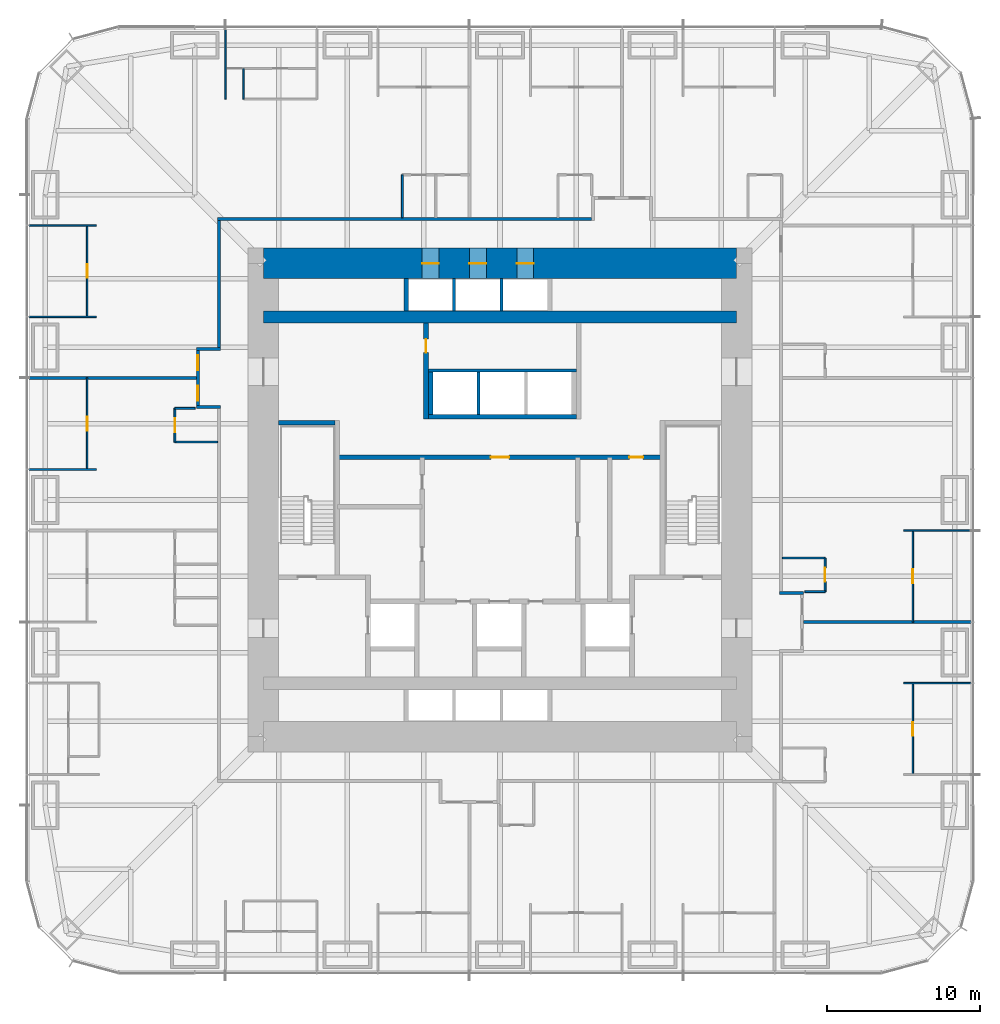
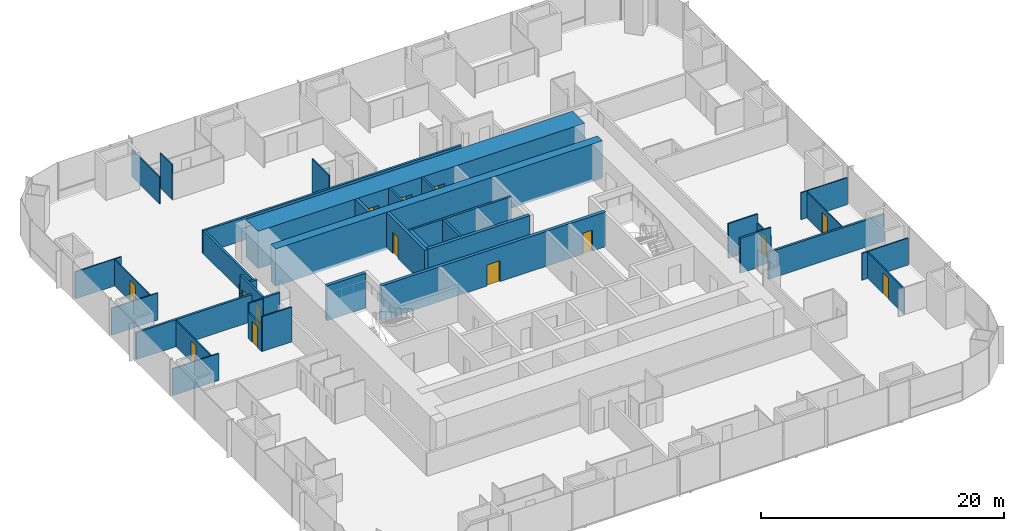
# One storey, part 14 of 17: 38 walls, 14 doors, 14 openings.
"""IFC4 building model written with IfcOpenShell, lengths in metres."""

from ifc_helpers import new_model, si_unit, direction, frame, frame_2d, origin, place, context, subcontext, project, spatial, rectangle, extrude, material, layer, layer_set, type_object, element, fill, save


model = new_model("IFC4")

# Units and contexts
model_context = context("Model", 3, precision=1e-05, world=origin(), true_north=direction((0.0, 1.0)))
body_context = subcontext(model_context, "Body", "Model", "MODEL_VIEW")
ifc_project = project(units=[si_unit("LENGTHUNIT", "METRE"), si_unit("AREAUNIT", "SQUARE_METRE"), si_unit("VOLUMEUNIT", "CUBIC_METRE"), si_unit("PLANEANGLEUNIT", "RADIAN"), si_unit("MASSUNIT", "GRAM", prefix="KILO")], contexts=[model_context])

# Site, building, storey
site_placement = place(None, origin())
site = spatial("IfcSite", under=ifc_project, at=site_placement, CompositionType="ELEMENT")
building_placement = place(site_placement, origin())
building = spatial("IfcBuilding", under=site, at=building_placement, Name="Khuree Lantern Residences", CompositionType="ELEMENT")
storey_placement = place(building_placement, frame((0.0, 0.0, 88.5)))
storey = spatial("IfcBuildingStorey", under=building, at=storey_placement, Name="L22", CompositionType="ELEMENT", Elevation=88.5)

# Wall, opening, door
ifc_material_1 = material(Name="Moisture-resistant gypsum board on steel studs", Category="steel")
ifc_layer_1 = layer(ifc_material_1, 0.125)
ifc_layer_set_1 = layer_set([ifc_layer_1], Name="BATHROOM WALL BTW125")
wall_type_1 = type_object("IfcWallType", Name="BATHROOM WALL BTW125", PredefinedType="PARTITIONING", material=ifc_layer_set_1)
wall_1_placement = place(storey_placement, frame((21.300048828125, -6.0, 0.0), z_axis=(0.0, 0.0, 1.0), x_axis=(0.0, 1.0, 0.0)))
wall_1 = element("IfcWall", 1, at=wall_1_placement, inside=storey, type_object=wall_type_1, Name="L22 BATHROOM WALL 01", PredefinedType="PARTITIONING", context=body_context, shape_type="SweptSolid", body=[
    extrude(rectangle(XDim=2.199951171875, YDim=0.125, at=frame_2d((1.10009765625, 0.0))), origin(), (0.0, 0.0, 1.0), 2.610107421875),
])
opening_1_placement = place(wall_1_placement, frame((0.64990234375, 0.0, 0.0)))
opening_1 = element("IfcOpeningElement", 2, at=opening_1_placement, cuts=wall_1, Name="Opening 22-022", PredefinedType="OPENING", context=body_context, shape_type="SweptSolid", body=[
    extrude(rectangle(XDim=0.89990234375, YDim=2.10009765625, at=frame_2d((0.449951171875, 1.050048828125))), frame((0.0, 0.072509765625, 0.0), z_axis=(0.0, -1.0, 0.0), x_axis=(1.0, 0.0, 0.0)), (0.0, 0.0, 1.0), 0.14501953125),
])
ifc_material_2 = material(Name="Timber door leaf in hardwood frame", Category="wood")
door_type_1 = type_object("IfcDoorType", Name="BATHROOM DOOR 900X2100", OperationType="SINGLE_SWING_LEFT", PredefinedType="DOOR", material=ifc_material_2)
door_1_placement = place(opening_1_placement, origin())
door_1 = element("IfcDoor", 3, at=door_1_placement, inside=storey, type_object=door_type_1, Name="Bathroom door 22-022", OperationType="SINGLE_SWING_LEFT", OverallHeight=2.10009765625, OverallWidth=0.89990234375, PredefinedType="DOOR", context=body_context, shape_type="SweptSolid", body=[
    extrude(rectangle(XDim=0.89990234375, YDim=2.10009765625, at=frame_2d((0.449951171875, 1.050048828125))), frame((0.0, 0.02490234375, 0.0), z_axis=(0.0, -1.0, 0.0), x_axis=(1.0, 0.0, 0.0)), (0.0, 0.0, 1.0), 0.050048828125),
])
fill(opening_1, door_1)

# Walls
wall_2_placement = place(storey_placement, frame((19.969970703125, -6.0, 0.0), z_axis=(0.0, 0.0, 1.0), x_axis=(1.0, 0.0, 0.0)))
element("IfcWall", 4, at=wall_2_placement, inside=storey, type_object=wall_type_1, Name="L22 BATHROOM WALL 01", PredefinedType="PARTITIONING", context=body_context, shape_type="SweptSolid", body=[
    extrude(rectangle(XDim=1.330078125, YDim=0.125, at=frame_2d((0.6650390625, 0.0))), origin(), (0.0, 0.0, 1.0), 3.5),
])
for number, where, z_axis, x_axis, name in (
    (5, (18.5, -3.800048828125, 0.0), (0.0, 0.0, 1.0), (1.0, 0.0, 0.0), "L22 BATHROOM WALL 01"),
    (6, (-6.39990234375, 18.5, 0.0), (0.0, 0.0, 1.0), (0.0, 1.0, 0.0), "L22 BATHROOM WALL 05"),
):
    element("IfcWall", number, at=place(storey_placement, frame(where, z_axis=z_axis, x_axis=x_axis)), inside=storey, type_object=wall_type_1, Name=name, PredefinedType="PARTITIONING", context=body_context, shape_type="SweptSolid", body=[
        extrude(rectangle(XDim=2.800048828125, YDim=0.125, at=frame_2d((1.39990234375, 0.0))), origin(), (0.0, 0.0, 1.0), 3.5),
    ])

# Wall, opening, door
wall_3_placement = place(storey_placement, frame((-21.300048828125, 6.0, 0.0), z_axis=(0.0, 0.0, 1.0), x_axis=(0.0, -1.0, 0.0)))
wall_3 = element("IfcWall", 7, at=wall_3_placement, inside=storey, type_object=wall_type_1, Name="L22 BATHROOM WALL 06", PredefinedType="PARTITIONING", context=body_context, shape_type="SweptSolid", body=[
    extrude(rectangle(XDim=2.199951171875, YDim=0.125, at=frame_2d((1.10009765625, 0.0))), origin(), (0.0, 0.0, 1.0), 2.610107421875),
])
opening_2_placement = place(wall_3_placement, frame((0.64990234375, 0.0, 0.0)))
opening_2 = element("IfcOpeningElement", 8, at=opening_2_placement, cuts=wall_3, Name="Opening 22-041", PredefinedType="OPENING", context=body_context, shape_type="SweptSolid", body=[
    extrude(rectangle(XDim=0.89990234375, YDim=2.10009765625, at=frame_2d((0.449951171875, 1.050048828125))), frame((0.0, 0.072509765625, 0.0), z_axis=(0.0, -1.0, 0.0), x_axis=(1.0, 0.0, 0.0)), (0.0, 0.0, 1.0), 0.14501953125),
])
door_2_placement = place(opening_2_placement, origin())
door_2 = element("IfcDoor", 9, at=door_2_placement, inside=storey, type_object=door_type_1, Name="Bathroom door 22-041", OperationType="SINGLE_SWING_LEFT", OverallHeight=2.10009765625, OverallWidth=0.89990234375, PredefinedType="DOOR", context=body_context, shape_type="SweptSolid", body=[
    extrude(rectangle(XDim=0.89990234375, YDim=2.10009765625, at=frame_2d((0.449951171875, 1.050048828125))), frame((0.0, 0.02490234375, 0.0), z_axis=(0.0, -1.0, 0.0), x_axis=(1.0, 0.0, 0.0)), (0.0, 0.0, 1.0), 0.050048828125),
])
fill(opening_2, door_2)

# Walls
wall_4_placement = place(storey_placement, frame((-19.969970703125, 6.0, 0.0), z_axis=(0.0, 0.0, 1.0), x_axis=(-1.0, 0.0, 0.0)))
element("IfcWall", 10, at=wall_4_placement, inside=storey, type_object=wall_type_1, Name="L22 BATHROOM WALL 06", PredefinedType="PARTITIONING", context=body_context, shape_type="SweptSolid", body=[
    extrude(rectangle(XDim=1.330078125, YDim=0.125, at=frame_2d((0.6650390625, 0.0))), origin(), (0.0, 0.0, 1.0), 3.5),
])
wall_5_placement = place(storey_placement, frame((-18.5, 3.800048828125, 0.0), z_axis=(0.0, 0.0, 1.0), x_axis=(-1.0, 0.0, 0.0)))
element("IfcWall", 11, at=wall_5_placement, inside=storey, type_object=wall_type_1, Name="L22 BATHROOM WALL 06", PredefinedType="PARTITIONING", context=body_context, shape_type="SweptSolid", body=[
    extrude(rectangle(XDim=2.800048828125, YDim=0.125, at=frame_2d((1.39990234375, 0.0))), origin(), (0.0, 0.0, 1.0), 3.5),
])
ifc_material_3 = material(Name="Dense concrete blockwork", Category="masonry")
ifc_layer_2 = layer(ifc_material_3, 0.300048828125)
ifc_layer_set_2 = layer_set([ifc_layer_2], Name="CORE PARTITION WALL CPW300 EI 120")
wall_type_2 = type_object("IfcWallType", Name="CORE PARTITION WALL CPW300 EI 120", PredefinedType="PARTITIONING", material=ifc_layer_set_2)
wall_6_placement = place(storey_placement, frame((-4.699951171875, 5.449951171875, 0.0), z_axis=(0.0, 0.0, 1.0), x_axis=(1.0, 0.0, 0.0)))
element("IfcWall", 12, at=wall_6_placement, inside=storey, type_object=wall_type_2, Name="L22 CORE WALL PHS", PredefinedType="PARTITIONING", context=body_context, shape_type="SweptSolid", body=[
    extrude(rectangle(XDim=9.699951171875, YDim=0.300048828125, at=frame_2d((4.85009765625, 0.0))), origin(), (0.0, 0.0, 1.0), 3.5),
])
wall_7_placement = place(storey_placement, frame((-4.550048828125, 5.60009765625, 0.0), z_axis=(0.0, 0.0, 1.0), x_axis=(0.0, 1.0, 0.0)))
element("IfcWall", 13, at=wall_7_placement, inside=storey, type_object=wall_type_2, Name="L22 CORE WALL PHW", PredefinedType="PARTITIONING", context=body_context, shape_type="SweptSolid", body=[
    extrude(rectangle(XDim=2.7998046875, YDim=0.300048828125, at=frame_2d((1.39990234375, 0.0))), origin(), (0.0, 0.0, 1.0), 3.5),
])
wall_8_placement = place(storey_placement, frame((-6.14990234375, 12.39990234375, 0.0), z_axis=(0.0, 0.0, 1.0), x_axis=(0.0, 1.0, 0.0)))
element("IfcWall", 14, at=wall_8_placement, inside=storey, type_object=wall_type_2, Name="L22 CORE WALL PLW", PredefinedType="PARTITIONING", context=body_context, shape_type="SweptSolid", body=[
    extrude(rectangle(XDim=2.10009765625, YDim=0.300048828125, at=frame_2d((1.050048828125, 0.0))), origin(), (0.0, 0.0, 1.0), 3.5),
])

# Wall, openings, doors
wall_9_placement = place(storey_placement, frame((-10.64990234375, 2.800048828125, 0.0), z_axis=(0.0, 0.0, 1.0), x_axis=(1.0, 0.0, 0.0)))
wall_9 = element("IfcWall", 15, at=wall_9_placement, inside=storey, type_object=wall_type_2, Name="L22 CORE WALL LLS", PredefinedType="PARTITIONING", context=body_context, shape_type="SweptSolid", body=[
    extrude(rectangle(XDim=21.2998046875, YDim=0.300048828125, at=frame_2d((10.64990234375, 0.0))), origin(), (0.0, 0.0, 1.0), 3.5),
])
opening_3_placement = place(wall_9_placement, frame((10.050048828125, 0.0, 0.0)))
opening_3 = element("IfcOpeningElement", 16, at=opening_3_placement, cuts=wall_9, Name="Opening 22-013", PredefinedType="OPENING", context=body_context, shape_type="SweptSolid", body=[
    extrude(rectangle(XDim=1.199951171875, YDim=2.10009765625, at=frame_2d((0.60009765625, 1.050048828125))), frame((0.0, 0.16015625, 0.0), z_axis=(0.0, -1.0, 0.0), x_axis=(1.0, 0.0, 0.0)), (0.0, 0.0, 1.0), 0.320068359375),
])
opening_4_placement = place(wall_9_placement, frame((19.12109375, 0.0, 0.0)))
opening_4 = element("IfcOpeningElement", 17, at=opening_4_placement, cuts=wall_9, Name="Opening 22-019", PredefinedType="OPENING", context=body_context, shape_type="SweptSolid", body=[
    extrude(rectangle(XDim=0.89990234375, YDim=2.10009765625, at=frame_2d((0.449951171875, 1.050048828125))), frame((0.0, 0.16015625, 0.0), z_axis=(0.0, -1.0, 0.0), x_axis=(1.0, 0.0, 0.0)), (0.0, 0.0, 1.0), 0.320068359375),
])
ifc_material_4 = material(Name="Steel door leaf in steel frame", Category="steel")
door_type_2 = type_object("IfcDoorType", Name="DOOR 1200X2100 EI 60", OperationType="SINGLE_SWING_LEFT", PredefinedType="DOOR", material=ifc_material_4)
door_3_placement = place(opening_3_placement, origin())
door_3 = element("IfcDoor", 18, at=door_3_placement, inside=storey, type_object=door_type_2, Name="Service lift lobby door 22-013", OperationType="SINGLE_SWING_LEFT", OverallHeight=2.10009765625, OverallWidth=1.199951171875, PredefinedType="DOOR", context=body_context, shape_type="SweptSolid", body=[
    extrude(rectangle(XDim=1.199951171875, YDim=2.10009765625, at=frame_2d((0.60009765625, 1.050048828125))), frame((0.0, 0.02490234375, 0.0), z_axis=(0.0, -1.0, 0.0), x_axis=(1.0, 0.0, 0.0)), (0.0, 0.0, 1.0), 0.050048828125),
])
fill(opening_3, door_3)
door_type_3 = type_object("IfcDoorType", Name="DOOR 900X2100 RIGHT HAND", OperationType="SINGLE_SWING_RIGHT", PredefinedType="DOOR", material=ifc_material_2)
door_4_placement = place(opening_4_placement, origin())
door_4 = element("IfcDoor", 19, at=door_4_placement, inside=storey, type_object=door_type_3, Name="Residents' store door 22-019", OperationType="SINGLE_SWING_RIGHT", OverallHeight=2.10009765625, OverallWidth=0.89990234375, PredefinedType="DOOR", context=body_context, shape_type="SweptSolid", body=[
    extrude(rectangle(XDim=0.89990234375, YDim=2.10009765625, at=frame_2d((0.449951171875, 1.050048828125))), frame((0.0, 0.02490234375, 0.0), z_axis=(0.0, -1.0, 0.0), x_axis=(1.0, 0.0, 0.0)), (0.0, 0.0, 1.0), 0.050048828125),
])
fill(opening_4, door_4)

# Wall, opening, door
wall_10_placement = place(storey_placement, frame((-4.85009765625, 5.300048828125, 0.0), z_axis=(0.0, 0.0, 1.0), x_axis=(0.0, 1.0, 0.0)))
wall_10 = element("IfcWall", 20, at=wall_10_placement, inside=storey, type_object=wall_type_2, Name="L22 CORE WALL NW", PredefinedType="PARTITIONING", context=body_context, shape_type="SweptSolid", body=[
    extrude(rectangle(XDim=6.300048828125, YDim=0.300048828125, at=frame_2d((3.14990234375, 0.0))), origin(), (0.0, 0.0, 1.0), 3.5),
])
opening_5_placement = place(wall_10_placement, frame((4.35009765625, 0.0, 0.0)))
opening_5 = element("IfcOpeningElement", 21, at=opening_5_placement, cuts=wall_10, Name="Opening 22-020", PredefinedType="OPENING", context=body_context, shape_type="SweptSolid", body=[
    extrude(rectangle(XDim=0.89990234375, YDim=2.10009765625, at=frame_2d((0.449951171875, 1.050048828125))), frame((0.0, 0.16015625, 0.0), z_axis=(0.0, -1.0, 0.0), x_axis=(1.0, 0.0, 0.0)), (0.0, 0.0, 1.0), 0.320068359375),
])
door_5_placement = place(opening_5_placement, origin())
door_5 = element("IfcDoor", 22, at=door_5_placement, inside=storey, type_object=door_type_3, Name="Residents' store door 22-020", OperationType="SINGLE_SWING_RIGHT", OverallHeight=2.10009765625, OverallWidth=0.89990234375, PredefinedType="DOOR", context=body_context, shape_type="SweptSolid", body=[
    extrude(rectangle(XDim=0.89990234375, YDim=2.10009765625, at=frame_2d((0.449951171875, 1.050048828125))), frame((0.0, 0.02490234375, 0.0), z_axis=(0.0, -1.0, 0.0), x_axis=(1.0, 0.0, 0.0)), (0.0, 0.0, 1.0), 0.050048828125),
])
fill(opening_5, door_5)

# Walls
ifc_material_5 = material(Name="Gypsum board on steel studs", Category="steel")
ifc_layer_3 = layer(ifc_material_5, 0.199951171875)
ifc_layer_set_3 = layer_set([ifc_layer_3], Name="CORRIDOR WALL CRW200 EI 60")
wall_type_3 = type_object("IfcWallType", Name="CORRIDOR WALL CRW200 EI 60", PredefinedType="PARTITIONING", material=ifc_layer_set_3)
wall_11_placement = place(storey_placement, frame((18.300048828125, -6.10009765625, 0.0), z_axis=(0.0, 0.0, 1.0), x_axis=(1.0, 0.0, 0.0)))
element("IfcWall", 23, at=wall_11_placement, inside=storey, type_object=wall_type_3, Name="L22 CORRIDOR ALCOVE WALL EAST", PredefinedType="PARTITIONING", context=body_context, shape_type="SweptSolid", body=[
    extrude(rectangle(XDim=1.599853515625, YDim=0.199951171875, at=frame_2d((0.7998046875, 0.0))), origin(), (0.0, 0.0, 1.0), 3.5),
])
wall_12_placement = place(storey_placement, frame((-18.5, 18.39990234375, 0.0), z_axis=(0.0, 0.0, 1.0), x_axis=(1.0, 0.0, 0.0)))
element("IfcWall", 24, at=wall_12_placement, inside=storey, type_object=wall_type_3, Name="L22 CORRIDOR WALL NORTH 1", PredefinedType="PARTITIONING", context=body_context, shape_type="SweptSolid", body=[
    extrude(rectangle(XDim=24.5, YDim=0.199951171875, at=frame_2d((12.25, 0.0))), origin(), (0.0, 0.0, 1.0), 2.300048828125),
])
wall_13_placement = place(storey_placement, frame((-18.39990234375, 18.300048828125, 0.0), z_axis=(0.0, 0.0, 1.0), x_axis=(0.0, -1.0, 0.0)))
element("IfcWall", 25, at=wall_13_placement, inside=storey, type_object=wall_type_3, Name="L22 CORRIDOR WALL WEST 1", PredefinedType="PARTITIONING", context=body_context, shape_type="SweptSolid", body=[
    extrude(rectangle(XDim=8.300048828125, YDim=0.199951171875, at=frame_2d((4.14990234375, 0.0))), origin(), (0.0, 0.0, 1.0), 2.300048828125),
])
wall_14_placement = place(storey_placement, frame((-18.300048828125, 9.89990234375, 0.0), z_axis=(0.0, 0.0, 1.0), x_axis=(-1.0, 0.0, 0.0)))
element("IfcWall", 26, at=wall_14_placement, inside=storey, type_object=wall_type_3, Name="L22 CORRIDOR ALCOVE WALL WEST", PredefinedType="PARTITIONING", context=body_context, shape_type="SweptSolid", body=[
    extrude(rectangle(XDim=1.599853515625, YDim=0.199951171875, at=frame_2d((0.7998046875, 0.0))), origin(), (0.0, 0.0, 1.0), 2.491943359375),
])
wall_15_placement = place(storey_placement, frame((-18.300048828125, 6.10009765625, 0.0), z_axis=(0.0, 0.0, 1.0), x_axis=(-1.0, 0.0, 0.0)))
element("IfcWall", 27, at=wall_15_placement, inside=storey, type_object=wall_type_3, Name="L22 CORRIDOR ALCOVE WALL WEST", PredefinedType="PARTITIONING", context=body_context, shape_type="SweptSolid", body=[
    extrude(rectangle(XDim=1.599853515625, YDim=0.199951171875, at=frame_2d((0.7998046875, 0.0))), origin(), (0.0, 0.0, 1.0), 3.5),
])

# Wall, openings, doors
wall_16_placement = place(storey_placement, frame((-19.800048828125, 9.800048828125, 0.0), z_axis=(0.0, 0.0, 1.0), x_axis=(0.0, -1.0, 0.0)))
wall_16 = element("IfcWall", 28, at=wall_16_placement, inside=storey, type_object=wall_type_3, Name="L22 CORRIDOR ALCOVE WALL WEST", PredefinedType="PARTITIONING", context=body_context, shape_type="SweptSolid", body=[
    extrude(rectangle(XDim=3.60009765625, YDim=0.199951171875, at=frame_2d((1.800048828125, 0.0))), origin(), (0.0, 0.0, 1.0), 3.5),
])
opening_6_placement = place(wall_16_placement, frame((0.300048828125, 0.0, 0.0)))
opening_6 = element("IfcOpeningElement", 29, at=opening_6_placement, cuts=wall_16, Name="Opening 22-039", PredefinedType="OPENING", context=body_context, shape_type="SweptSolid", body=[
    extrude(rectangle(XDim=1.0, YDim=2.199951171875, at=frame_2d((0.5, 1.10009765625))), frame((0.0, 0.10986328125, 0.0), z_axis=(0.0, -1.0, 0.0), x_axis=(1.0, 0.0, 0.0)), (0.0, 0.0, 1.0), 0.219970703125),
])
opening_7_placement = place(wall_16_placement, frame((2.300048828125, 0.0, 0.0)))
opening_7 = element("IfcOpeningElement", 30, at=opening_7_placement, cuts=wall_16, Name="Opening 22-042", PredefinedType="OPENING", context=body_context, shape_type="SweptSolid", body=[
    extrude(rectangle(XDim=1.0, YDim=2.199951171875, at=frame_2d((0.5, 1.10009765625))), frame((0.0, 0.10986328125, 0.0), z_axis=(0.0, -1.0, 0.0), x_axis=(1.0, 0.0, 0.0)), (0.0, 0.0, 1.0), 0.219970703125),
])
door_type_4 = type_object("IfcDoorType", Name="APARTMENT ENTRANCE DOOR 1000X2200 EI 30S", OperationType="SINGLE_SWING_LEFT", PredefinedType="DOOR", material=ifc_material_2)
door_6_placement = place(opening_6_placement, origin())
door_6 = element("IfcDoor", 31, at=door_6_placement, inside=storey, type_object=door_type_4, Name="Apartment 05 entrance door 22-039", OperationType="SINGLE_SWING_LEFT", OverallHeight=2.199951171875, OverallWidth=1.0, PredefinedType="DOOR", context=body_context, shape_type="SweptSolid", body=[
    extrude(rectangle(XDim=1.0, YDim=2.199951171875, at=frame_2d((0.5, 1.10009765625))), frame((0.0, 0.02490234375, 0.0), z_axis=(0.0, -1.0, 0.0), x_axis=(1.0, 0.0, 0.0)), (0.0, 0.0, 1.0), 0.050048828125),
])
fill(opening_6, door_6)
door_type_5 = type_object("IfcDoorType", Name="APARTMENT ENTRANCE DOOR 1000X2200 EI 30S RIGHT HAND", OperationType="SINGLE_SWING_RIGHT", PredefinedType="DOOR", material=ifc_material_2)
door_7_placement = place(opening_7_placement, origin())
door_7 = element("IfcDoor", 32, at=door_7_placement, inside=storey, type_object=door_type_5, Name="Apartment 06 entrance door 22-042", OperationType="SINGLE_SWING_RIGHT", OverallHeight=2.199951171875, OverallWidth=1.0, PredefinedType="DOOR", context=body_context, shape_type="SweptSolid", body=[
    extrude(rectangle(XDim=1.0, YDim=2.199951171875, at=frame_2d((0.5, 1.10009765625))), frame((0.0, 0.02490234375, 0.0), z_axis=(0.0, -1.0, 0.0), x_axis=(1.0, 0.0, 0.0)), (0.0, 0.0, 1.0), 0.050048828125),
])
fill(opening_7, door_7)

ifc_material_6 = material(Name="Concrete C70/85", Category="concrete")
ifc_layer_4 = layer(ifc_material_6, 2.0)
ifc_layer_set_4 = layer_set([ifc_layer_4], Name="CW2000-C70 CORE WALL C70 2000")
wall_type_4 = type_object("IfcWallType", Name="CW2000-C70 CORE WALL C70 2000", PredefinedType="SHEAR", material=ifc_layer_set_4)
wall_17_placement = place(storey_placement, frame((-15.5, 15.5, -0.25), z_axis=(0.0, 0.0, 1.0), x_axis=(1.0, 0.0, 0.0)))
wall_17 = element("IfcWall", 33, at=wall_17_placement, inside=storey, type_object=wall_type_4, Name="Core wall N", PredefinedType="SHEAR", context=body_context, shape_type="SweptSolid", body=[
    extrude(rectangle(XDim=31.0, YDim=2.0, at=frame_2d((15.5, 0.0))), origin(), (0.0, 0.0, 1.0), 3.75),
])
opening_8_placement = place(wall_17_placement, frame((10.39990234375, 0.0, 0.25)))
opening_8 = element("IfcOpeningElement", 34, at=opening_8_placement, cuts=wall_17, Name="Opening 22-009", PredefinedType="OPENING", context=body_context, shape_type="SweptSolid", body=[
    extrude(rectangle(XDim=1.10009765625, YDim=2.10009765625, at=frame_2d((0.550048828125, 1.050048828125))), frame((0.0, 1.010009765625, 0.0), z_axis=(0.0, -1.0, 0.0), x_axis=(1.0, 0.0, 0.0)), (0.0, 0.0, 1.0), 2.02001953125),
])
opening_9_placement = place(wall_17_placement, frame((13.5, 0.0, 0.25)))
opening_9 = element("IfcOpeningElement", 35, at=opening_9_placement, cuts=wall_17, Name="Opening 22-010", PredefinedType="OPENING", context=body_context, shape_type="SweptSolid", body=[
    extrude(rectangle(XDim=1.10009765625, YDim=2.10009765625, at=frame_2d((0.550048828125, 1.050048828125))), frame((0.0, 1.010009765625, 0.0), z_axis=(0.0, -1.0, 0.0), x_axis=(1.0, 0.0, 0.0)), (0.0, 0.0, 1.0), 2.02001953125),
])
opening_10_placement = place(wall_17_placement, frame((16.60009765625, 0.0, 0.25)))
opening_10 = element("IfcOpeningElement", 36, at=opening_10_placement, cuts=wall_17, Name="Opening 22-011", PredefinedType="OPENING", context=body_context, shape_type="SweptSolid", body=[
    extrude(rectangle(XDim=1.10009765625, YDim=2.10009765625, at=frame_2d((0.550048828125, 1.050048828125))), frame((0.0, 1.010009765625, 0.0), z_axis=(0.0, -1.0, 0.0), x_axis=(1.0, 0.0, 0.0)), (0.0, 0.0, 1.0), 2.02001953125),
])
ifc_material_7 = material(Name="Stainless steel lift landing door", Category="steel")
door_type_6 = type_object("IfcDoorType", Name="LIFT LANDING DOOR 1100X2100 E 60", OperationType="DOUBLE_DOOR_SLIDING", PredefinedType="DOOR", material=ifc_material_7)
door_8_placement = place(opening_8_placement, origin())
door_8 = element("IfcDoor", 37, at=door_8_placement, inside=storey, type_object=door_type_6, Name="Landing door PL1 22-009", OperationType="DOUBLE_DOOR_SLIDING", OverallHeight=2.10009765625, OverallWidth=1.10009765625, PredefinedType="DOOR", context=body_context, shape_type="SweptSolid", body=[
    extrude(rectangle(XDim=1.10009765625, YDim=2.10009765625, at=frame_2d((0.550048828125, 1.050048828125))), frame((0.0, 0.02490234375, 0.0), z_axis=(0.0, -1.0, 0.0), x_axis=(1.0, 0.0, 0.0)), (0.0, 0.0, 1.0), 0.050048828125),
])
fill(opening_8, door_8)
door_9_placement = place(opening_9_placement, origin())
door_9 = element("IfcDoor", 38, at=door_9_placement, inside=storey, type_object=door_type_6, Name="Landing door PL2 22-010", OperationType="DOUBLE_DOOR_SLIDING", OverallHeight=2.10009765625, OverallWidth=1.10009765625, PredefinedType="DOOR", context=body_context, shape_type="SweptSolid", body=[
    extrude(rectangle(XDim=1.10009765625, YDim=2.10009765625, at=frame_2d((0.550048828125, 1.050048828125))), frame((0.0, 0.02490234375, 0.0), z_axis=(0.0, -1.0, 0.0), x_axis=(1.0, 0.0, 0.0)), (0.0, 0.0, 1.0), 0.050048828125),
])
fill(opening_9, door_9)
door_10_placement = place(opening_10_placement, origin())
door_10 = element("IfcDoor", 39, at=door_10_placement, inside=storey, type_object=door_type_6, Name="Landing door PL3 22-011", OperationType="DOUBLE_DOOR_SLIDING", OverallHeight=2.10009765625, OverallWidth=1.10009765625, PredefinedType="DOOR", context=body_context, shape_type="SweptSolid", body=[
    extrude(rectangle(XDim=1.10009765625, YDim=2.10009765625, at=frame_2d((0.550048828125, 1.050048828125))), frame((0.0, 0.02490234375, 0.0), z_axis=(0.0, -1.0, 0.0), x_axis=(1.0, 0.0, 0.0)), (0.0, 0.0, 1.0), 0.050048828125),
])
fill(opening_10, door_10)

# Walls
ifc_layer_5 = layer(ifc_material_5, 0.199951171875)
ifc_layer_set_5 = layer_set([ifc_layer_5], Name="DEMISING WALL DMW200 EI 90")
wall_type_5 = type_object("IfcWallType", Name="DEMISING WALL DMW200 EI 90", PredefinedType="PARTITIONING", material=ifc_layer_set_5)
for number, where, z_axis, x_axis, name in (
    (40, (19.89990234375, -8.0, 0.0), (0.0, 0.0, 1.0), (1.0, 0.0, 0.0), "L22 DEMISING WALL 01"),
    (41, (-19.89990234375, 8.0, 0.0), (0.0, 0.0, 1.0), (-1.0, 0.0, 0.0), "L22 DEMISING WALL 06"),
):
    element("IfcWall", number, at=place(storey_placement, frame(where, z_axis=z_axis, x_axis=x_axis)), inside=storey, type_object=wall_type_5, Name=name, PredefinedType="PARTITIONING", context=body_context, shape_type="SweptSolid", body=[
        extrude(rectangle(XDim=10.9501953125, YDim=0.199951171875, at=frame_2d((5.47509765625, 0.0))), origin(), (0.0, 0.0, 1.0), 2.7099609375),
    ])
ifc_layer_6 = layer(ifc_material_5, 0.10009765625)
ifc_layer_set_6 = layer_set([ifc_layer_6], Name="PARTITION PT100")
wall_type_6 = type_object("IfcWallType", Name="PARTITION PT100", PredefinedType="PARTITIONING", material=ifc_layer_set_6)
wall_18_placement = place(storey_placement, frame((26.449951171875, -2.0, 0.0), z_axis=(0.0, 0.0, 1.0), x_axis=(1.0, 0.0, 0.0)))
element("IfcWall", 42, at=wall_18_placement, inside=storey, type_object=wall_type_6, Name="L22 PARTITION 01", PredefinedType="PARTITIONING", context=body_context, shape_type="SweptSolid", body=[
    extrude(rectangle(XDim=4.400146484375, YDim=0.10009765625, at=frame_2d((2.2001953125, 0.0))), origin(), (0.0, 0.0, 1.0), 2.7099609375),
])
wall_19_placement = place(storey_placement, frame((-18.0, 26.2666015625, 0.0), z_axis=(0.0, 0.0, 1.0), x_axis=(0.0, 1.0, 0.0)))
element("IfcWall", 43, at=wall_19_placement, inside=storey, type_object=wall_type_6, Name="L22 PARTITION 05", PredefinedType="PARTITIONING", context=body_context, shape_type="SweptSolid", body=[
    extrude(rectangle(XDim=4.58349609375, YDim=0.10009765625, at=frame_2d((2.291748046875, 0.0))), origin(), (0.0, 0.0, 1.0), 2.7099609375),
])
for number, where, z_axis, x_axis, name in (
    (44, (-26.449951171875, 18.0, 0.0), (0.0, 0.0, 1.0), (-1.0, 0.0, 0.0), "L22 PARTITION 05"),
    (45, (-26.449951171875, 12.0, 0.0), (0.0, 0.0, 1.0), (-1.0, 0.0, 0.0), "L22 PARTITION 05"),
    (46, (-26.449951171875, 2.0, 0.0), (0.0, 0.0, 1.0), (-1.0, 0.0, 0.0), "L22 PARTITION 06"),
    (47, (26.449951171875, -12.0, 0.0), (0.0, 0.0, 1.0), (1.0, 0.0, 0.0), "L22 PARTITION 09"),
):
    element("IfcWall", number, at=place(storey_placement, frame(where, z_axis=z_axis, x_axis=x_axis)), inside=storey, type_object=wall_type_6, Name=name, PredefinedType="PARTITIONING", context=body_context, shape_type="SweptSolid", body=[
        extrude(rectangle(XDim=4.400146484375, YDim=0.10009765625, at=frame_2d((2.2001953125, 0.0))), origin(), (0.0, 0.0, 1.0), 2.7099609375),
    ])

# Wall, opening, door
wall_20_placement = place(storey_placement, frame((27.050048828125, -8.0, 0.0), z_axis=(0.0, 0.0, 1.0), x_axis=(0.0, 1.0, 0.0)))
wall_20 = element("IfcWall", 48, at=wall_20_placement, inside=storey, type_object=wall_type_6, Name="L22 PARTITION 01", PredefinedType="PARTITIONING", context=body_context, shape_type="SweptSolid", body=[
    extrude(rectangle(XDim=6.0, YDim=0.10009765625, at=frame_2d((3.0, 0.0))), origin(), (0.0, 0.0, 1.0), 2.610107421875),
])
opening_11_placement = place(wall_20_placement, frame((2.550048828125, 0.0, 0.0)))
opening_11 = element("IfcOpeningElement", 49, at=opening_11_placement, cuts=wall_20, Name="Opening 22-021", PredefinedType="OPENING", context=body_context, shape_type="SweptSolid", body=[
    extrude(rectangle(XDim=0.89990234375, YDim=2.10009765625, at=frame_2d((0.449951171875, 1.050048828125))), frame((0.0, 0.06005859375, 0.0), z_axis=(0.0, -1.0, 0.0), x_axis=(1.0, 0.0, 0.0)), (0.0, 0.0, 1.0), 0.1201171875),
])
door_type_7 = type_object("IfcDoorType", Name="BEDROOM DOOR 900X2100", OperationType="SINGLE_SWING_LEFT", PredefinedType="DOOR", material=ifc_material_2)
door_11_placement = place(opening_11_placement, origin())
door_11 = element("IfcDoor", 50, at=door_11_placement, inside=storey, type_object=door_type_7, Name="Bedroom door 22-021", OperationType="SINGLE_SWING_LEFT", OverallHeight=2.10009765625, OverallWidth=0.89990234375, PredefinedType="DOOR", context=body_context, shape_type="SweptSolid", body=[
    extrude(rectangle(XDim=0.89990234375, YDim=2.10009765625, at=frame_2d((0.449951171875, 1.050048828125))), frame((0.0, 0.02490234375, 0.0), z_axis=(0.0, -1.0, 0.0), x_axis=(1.0, 0.0, 0.0)), (0.0, 0.0, 1.0), 0.050048828125),
])
fill(opening_11, door_11)

# Wall
wall_21_placement = place(storey_placement, frame((-16.800048828125, 26.2666015625, 0.0), z_axis=(0.0, 0.0, 1.0), x_axis=(0.0, 1.0, 0.0)))
element("IfcWall", 51, at=wall_21_placement, inside=storey, type_object=wall_type_6, Name="L22 PARTITION 05", PredefinedType="PARTITIONING", context=body_context, shape_type="SweptSolid", body=[
    extrude(rectangle(XDim=2.0, YDim=0.10009765625, at=frame_2d((1.0, 0.0))), origin(), (0.0, 0.0, 1.0), 3.5),
])

# Wall, opening, door
wall_22_placement = place(storey_placement, frame((-27.050048828125, 18.0, 0.0), z_axis=(0.0, 0.0, 1.0), x_axis=(0.0, -1.0, 0.0)))
wall_22 = element("IfcWall", 52, at=wall_22_placement, inside=storey, type_object=wall_type_6, Name="L22 PARTITION 05", PredefinedType="PARTITIONING", context=body_context, shape_type="SweptSolid", body=[
    extrude(rectangle(XDim=6.0, YDim=0.10009765625, at=frame_2d((3.0, 0.0))), origin(), (0.0, 0.0, 1.0), 2.610107421875),
])
opening_12_placement = place(wall_22_placement, frame((2.550048828125, 0.0, 0.0)))
opening_12 = element("IfcOpeningElement", 53, at=opening_12_placement, cuts=wall_22, Name="Opening 22-036", PredefinedType="OPENING", context=body_context, shape_type="SweptSolid", body=[
    extrude(rectangle(XDim=0.89990234375, YDim=2.10009765625, at=frame_2d((0.449951171875, 1.050048828125))), frame((0.0, 0.06005859375, 0.0), z_axis=(0.0, -1.0, 0.0), x_axis=(1.0, 0.0, 0.0)), (0.0, 0.0, 1.0), 0.1201171875),
])
door_12_placement = place(opening_12_placement, origin())
door_12 = element("IfcDoor", 54, at=door_12_placement, inside=storey, type_object=door_type_7, Name="Bedroom door 22-036", OperationType="SINGLE_SWING_LEFT", OverallHeight=2.10009765625, OverallWidth=0.89990234375, PredefinedType="DOOR", context=body_context, shape_type="SweptSolid", body=[
    extrude(rectangle(XDim=0.89990234375, YDim=2.10009765625, at=frame_2d((0.449951171875, 1.050048828125))), frame((0.0, 0.02490234375, 0.0), z_axis=(0.0, -1.0, 0.0), x_axis=(1.0, 0.0, 0.0)), (0.0, 0.0, 1.0), 0.050048828125),
])
fill(opening_12, door_12)

wall_23_placement = place(storey_placement, frame((-27.050048828125, 8.0, 0.0), z_axis=(0.0, 0.0, 1.0), x_axis=(0.0, -1.0, 0.0)))
wall_23 = element("IfcWall", 55, at=wall_23_placement, inside=storey, type_object=wall_type_6, Name="L22 PARTITION 06", PredefinedType="PARTITIONING", context=body_context, shape_type="SweptSolid", body=[
    extrude(rectangle(XDim=6.0, YDim=0.10009765625, at=frame_2d((3.0, 0.0))), origin(), (0.0, 0.0, 1.0), 2.610107421875),
])
opening_13_placement = place(wall_23_placement, frame((2.550048828125, 0.0, 0.0)))
opening_13 = element("IfcOpeningElement", 56, at=opening_13_placement, cuts=wall_23, Name="Opening 22-040", PredefinedType="OPENING", context=body_context, shape_type="SweptSolid", body=[
    extrude(rectangle(XDim=0.89990234375, YDim=2.10009765625, at=frame_2d((0.449951171875, 1.050048828125))), frame((0.0, 0.06005859375, 0.0), z_axis=(0.0, -1.0, 0.0), x_axis=(1.0, 0.0, 0.0)), (0.0, 0.0, 1.0), 0.1201171875),
])
door_13_placement = place(opening_13_placement, origin())
door_13 = element("IfcDoor", 57, at=door_13_placement, inside=storey, type_object=door_type_7, Name="Bedroom door 22-040", OperationType="SINGLE_SWING_LEFT", OverallHeight=2.10009765625, OverallWidth=0.89990234375, PredefinedType="DOOR", context=body_context, shape_type="SweptSolid", body=[
    extrude(rectangle(XDim=0.89990234375, YDim=2.10009765625, at=frame_2d((0.449951171875, 1.050048828125))), frame((0.0, 0.02490234375, 0.0), z_axis=(0.0, -1.0, 0.0), x_axis=(1.0, 0.0, 0.0)), (0.0, 0.0, 1.0), 0.050048828125),
])
fill(opening_13, door_13)

wall_24_placement = place(storey_placement, frame((27.050048828125, -18.0, 0.0), z_axis=(0.0, 0.0, 1.0), x_axis=(0.0, 1.0, 0.0)))
wall_24 = element("IfcWall", 58, at=wall_24_placement, inside=storey, type_object=wall_type_6, Name="L22 PARTITION 09", PredefinedType="PARTITIONING", context=body_context, shape_type="SweptSolid", body=[
    extrude(rectangle(XDim=6.0, YDim=0.10009765625, at=frame_2d((3.0, 0.0))), origin(), (0.0, 0.0, 1.0), 2.610107421875),
])
opening_14_placement = place(wall_24_placement, frame((2.550048828125, 0.0, 0.0)))
opening_14 = element("IfcOpeningElement", 59, at=opening_14_placement, cuts=wall_24, Name="Opening 22-057", PredefinedType="OPENING", context=body_context, shape_type="SweptSolid", body=[
    extrude(rectangle(XDim=0.89990234375, YDim=2.10009765625, at=frame_2d((0.449951171875, 1.050048828125))), frame((0.0, 0.06005859375, 0.0), z_axis=(0.0, -1.0, 0.0), x_axis=(1.0, 0.0, 0.0)), (0.0, 0.0, 1.0), 0.1201171875),
])
door_14_placement = place(opening_14_placement, origin())
door_14 = element("IfcDoor", 60, at=door_14_placement, inside=storey, type_object=door_type_7, Name="Bedroom door 22-057", OperationType="SINGLE_SWING_LEFT", OverallHeight=2.10009765625, OverallWidth=0.89990234375, PredefinedType="DOOR", context=body_context, shape_type="SweptSolid", body=[
    extrude(rectangle(XDim=0.89990234375, YDim=2.10009765625, at=frame_2d((0.449951171875, 1.050048828125))), frame((0.0, 0.02490234375, 0.0), z_axis=(0.0, -1.0, 0.0), x_axis=(1.0, 0.0, 0.0)), (0.0, 0.0, 1.0), 0.050048828125),
])
fill(opening_14, door_14)

# Walls
ifc_layer_7 = layer(ifc_material_3, 0.199951171875)
ifc_layer_set_7 = layer_set([ifc_layer_7], Name="SHAFT WALL SHW200 EI 120")
wall_type_7 = type_object("IfcWallType", Name="SHAFT WALL SHW200 EI 120", PredefinedType="PARTITIONING", material=ifc_layer_set_7)
wall_25_placement = place(storey_placement, frame((-4.699951171875, 8.5, 0.0), z_axis=(0.0, 0.0, 1.0), x_axis=(1.0, 0.0, 0.0)))
element("IfcWall", 61, at=wall_25_placement, inside=storey, type_object=wall_type_7, Name="L22 CORE WALL PHN", PredefinedType="PARTITIONING", context=body_context, shape_type="SweptSolid", body=[
    extrude(rectangle(XDim=9.699951171875, YDim=0.199951171875, at=frame_2d((4.85009765625, 0.0))), origin(), (0.0, 0.0, 1.0), 3.5),
])
wall_26_placement = place(storey_placement, frame((-1.39990234375, 5.60009765625, 0.0), z_axis=(0.0, 0.0, 1.0), x_axis=(0.0, 1.0, 0.0)))
element("IfcWall", 62, at=wall_26_placement, inside=storey, type_object=wall_type_7, Name="L22 CORE WALL PHD1", PredefinedType="PARTITIONING", context=body_context, shape_type="SweptSolid", body=[
    extrude(rectangle(XDim=2.7998046875, YDim=0.199951171875, at=frame_2d((1.39990234375, 0.0))), origin(), (0.0, 0.0, 1.0), 3.5),
])
for number, where, z_axis, x_axis, name in (
    (63, (-3.0, 12.39990234375, 0.0), (0.0, 0.0, 1.0), (0.0, 1.0, 0.0), "L22 CORE WALL PLD1"),
    (64, (0.10009765625, 12.39990234375, 0.0), (0.0, 0.0, 1.0), (0.0, 1.0, 0.0), "L22 CORE WALL PLD2"),
):
    element("IfcWall", number, at=place(storey_placement, frame(where, z_axis=z_axis, x_axis=x_axis)), inside=storey, type_object=wall_type_7, Name=name, PredefinedType="PARTITIONING", context=body_context, shape_type="SweptSolid", body=[
        extrude(rectangle(XDim=2.10009765625, YDim=0.199951171875, at=frame_2d((1.050048828125, 0.0))), origin(), (0.0, 0.0, 1.0), 3.5),
    ])
ifc_layer_8 = layer(ifc_material_6, 0.800048828125)
ifc_layer_set_8 = layer_set([ifc_layer_8], Name="SP800-C70 CORE SPINE WALL C70 800")
wall_type_8 = type_object("IfcWallType", Name="SP800-C70 CORE SPINE WALL C70 800", PredefinedType="SHEAR", material=ifc_layer_set_8)
wall_27_placement = place(storey_placement, frame((-15.5, 12.0, -0.25), z_axis=(0.0, 0.0, 1.0), x_axis=(1.0, 0.0, 0.0)))
element("IfcWall", 65, at=wall_27_placement, inside=storey, type_object=wall_type_8, Name="Core wall SPN", PredefinedType="SHEAR", context=body_context, shape_type="SweptSolid", body=[
    extrude(rectangle(XDim=31.0, YDim=0.800048828125, at=frame_2d((15.5, 0.0))), origin(), (0.0, 0.0, 1.0), 3.75),
])
ifc_material_8 = material(Name="Concrete C50/60", Category="concrete")
ifc_layer_9 = layer(ifc_material_8, 0.300048828125)
ifc_layer_set_9 = layer_set([ifc_layer_9], Name="STAIR WALL SRW300 C50/60 REI 240")
wall_type_9 = type_object("IfcWallType", Name="STAIR WALL SRW300 C50/60 REI 240", PredefinedType="SOLIDWALL", material=ifc_layer_set_9)
wall_28_placement = place(storey_placement, frame((-14.5, 5.050048828125, 0.0), z_axis=(0.0, 0.0, 1.0), x_axis=(1.0, 0.0, 0.0)))
element("IfcWall", 66, at=wall_28_placement, inside=storey, type_object=wall_type_9, Name="L22 STAIR WALL ST1N", PredefinedType="SOLIDWALL", context=body_context, shape_type="SweptSolid", body=[
    extrude(rectangle(XDim=3.699951171875, YDim=0.300048828125, at=frame_2d((1.85009765625, 0.0))), origin(), (0.0, 0.0, 1.0), 3.5),
])

save(model, "model.ifc")
